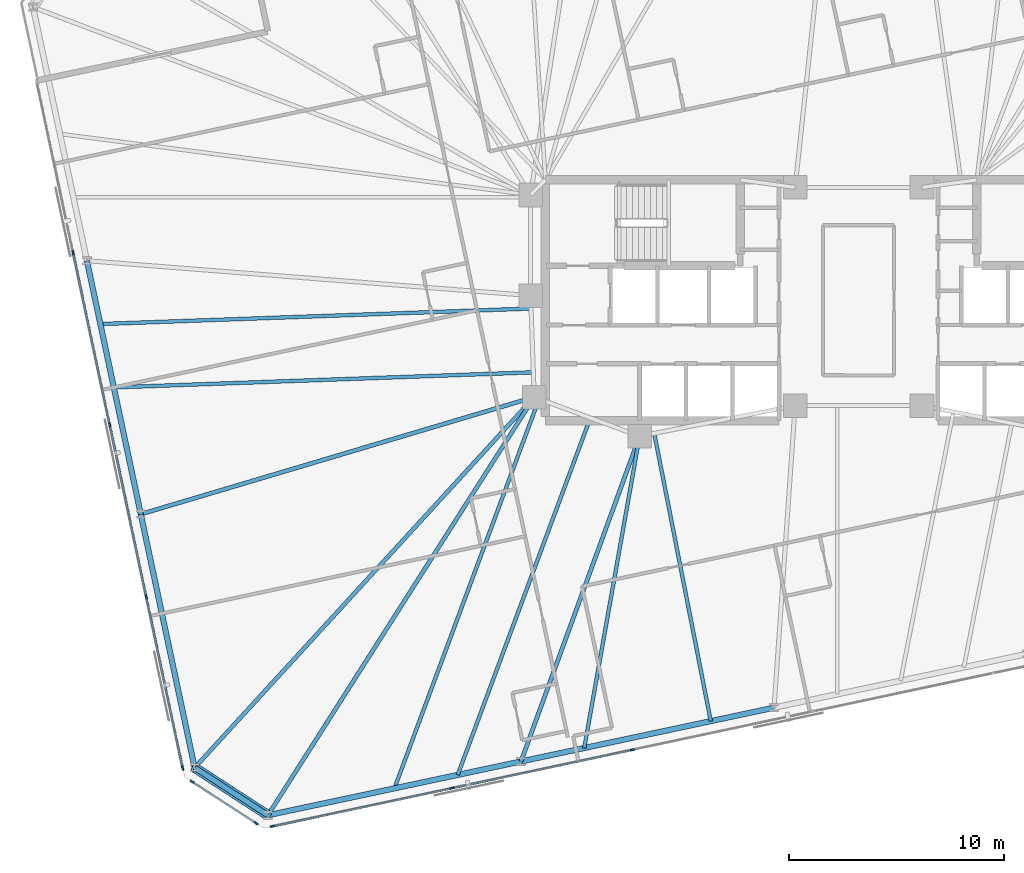
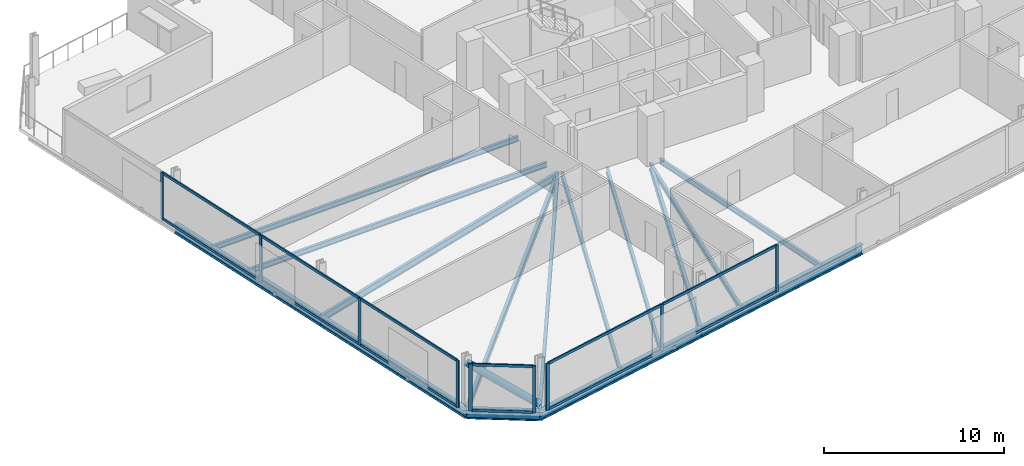
# One storey, part 6 of 20: 22 members, 15 beams, 3 elements without a shape of their own.
"""IFC4 building model written with IfcOpenShell, lengths in metres."""

from ifc_helpers import new_model, si_unit, direction, frame, origin, origin_2d, place, context, subcontext, project, spatial, rectangle, hollow_circle, i_section, extrude, material, material_profile, profile_set, type_object, element, aggregate, save


model = new_model("IFC4")

# Units and contexts
model_context = context("Model", 3, precision=1e-05, world=origin(), true_north=direction((0.0, 1.0)))
body_context = subcontext(model_context, "Body", "Model", "MODEL_VIEW")
ifc_project = project(units=[si_unit("LENGTHUNIT", "METRE"), si_unit("AREAUNIT", "SQUARE_METRE"), si_unit("VOLUMEUNIT", "CUBIC_METRE"), si_unit("PLANEANGLEUNIT", "RADIAN"), si_unit("MASSUNIT", "GRAM", prefix="KILO")], contexts=[model_context])

# Site, building, storey
site_placement = place(None, origin())
site = spatial("IfcSite", under=ifc_project, at=site_placement, CompositionType="ELEMENT")
building_placement = place(site_placement, origin())
building = spatial("IfcBuilding", under=site, at=building_placement, Name="Menara Jurai Vektor", CompositionType="ELEMENT")
storey_placement = place(building_placement, frame((0.0, 0.0, 175.199951171875)))
storey = spatial("IfcBuildingStorey", under=building, at=storey_placement, Name="L45", CompositionType="ELEMENT", Elevation=175.199951171875)

# Curtain wall, members
ifc_material_1 = material(Name="Anodised Pale Aluminium & Low-E Double Glazing", Category="aluminium")
curtain_wall_type = type_object("IfcCurtainWallType", Name="CW-BLK3", PredefinedType="NOTDEFINED", material=ifc_material_1)
curtain_wall_1_placement = place(storey_placement, origin())
curtain_wall_1 = element("IfcCurtainWall", 1, at=curtain_wall_1_placement, inside=storey, type_object=curtain_wall_type, Name="Unitised Curtain Wall L45 F03", PredefinedType="NOTDEFINED")
ifc_material_2 = material(Name="Anodised Pale Aluminium Mullion", Category="aluminium")
ifc_material_profile_1 = material_profile(ifc_material_2, rectangle(XDim=0.0849609375, YDim=0.205078125, at=origin_2d()), Name="ALU MUL 85x205")
ifc_profile_set_1 = profile_set([ifc_material_profile_1], Name="Anodised Pale Aluminium Mullion")
member_type_1 = type_object("IfcMemberType", Name="CW-BLK3-MUL", PredefinedType="MULLION", material=ifc_profile_set_1)
member_1_placement = place(storey_placement, frame((-36.5234375, 2.21240234375, 0.0), z_axis=(0.0, 0.0, 1.0), x_axis=(0.978148052942, 0.207909563335, 0.0)))
member_1 = element("IfcMember", 2, at=member_1_placement, type_object=member_type_1, Name="CW-03 mullion 2", PredefinedType="MULLION", context=body_context, shape_type="SweptSolid", body=[
    extrude(rectangle(XDim=0.0849609375, YDim=0.205078125, at=origin_2d()), origin(), (0.0, 0.0, 1.0), 3.175048828125),
])
member_2_placement = place(storey_placement, frame((-34.82275390625, -5.788818359375, 0.0), z_axis=(0.0, 0.0, 1.0), x_axis=(0.978148052942, 0.207909563335, 0.0)))
member_2 = element("IfcMember", 3, at=member_2_placement, type_object=member_type_1, Name="CW-03 mullion 3", PredefinedType="MULLION", context=body_context, shape_type="SweptSolid", body=[
    extrude(rectangle(XDim=0.0849609375, YDim=0.205078125, at=origin_2d()), origin(), (0.0, 0.0, 1.0), 3.175048828125),
])
member_3_placement = place(storey_placement, frame((-33.1220703125, -13.7900390625, 0.0), z_axis=(0.0, 0.0, 1.0), x_axis=(0.978148052942, 0.207909563335, 0.0)))
member_3 = element("IfcMember", 4, at=member_3_placement, type_object=member_type_1, Name="CW-03 mullion 4", PredefinedType="MULLION", context=body_context, shape_type="SweptSolid", body=[
    extrude(rectangle(XDim=0.0849609375, YDim=0.205078125, at=origin_2d()), origin(), (0.0, 0.0, 1.0), 3.175048828125),
])
member_4_placement = place(storey_placement, frame((-31.43017578125, -21.749755859375, 0.0), z_axis=(0.0, 0.0, 1.0), x_axis=(0.978148052942, 0.207909563335, 0.0)))
member_4 = element("IfcMember", 5, at=member_4_placement, type_object=member_type_1, Name="CW-03 mullion 5", PredefinedType="MULLION", context=body_context, shape_type="SweptSolid", body=[
    extrude(rectangle(XDim=0.0849609375, YDim=0.205078125, at=origin_2d()), origin(), (0.0, 0.0, 1.0), 3.175048828125),
])

curtain_wall_2_placement = place(storey_placement, origin())
curtain_wall_2 = element("IfcCurtainWall", 6, at=curtain_wall_2_placement, inside=storey, type_object=curtain_wall_type, Name="Unitised Curtain Wall L45 F04", PredefinedType="NOTDEFINED")
member_5_placement = place(storey_placement, frame((-30.988037109375, -22.39306640625, 0.0), z_axis=(0.0, 0.0, 1.0), x_axis=(0.544617794346, 0.838684361415, 0.0)))
member_5 = element("IfcMember", 7, at=member_5_placement, type_object=member_type_1, Name="CW-03 mullion 1", PredefinedType="MULLION", context=body_context, shape_type="SweptSolid", body=[
    extrude(rectangle(XDim=0.0849609375, YDim=0.205078125, at=origin_2d()), origin(), (0.0, 0.0, 1.0), 3.175048828125),
])
member_6_placement = place(storey_placement, frame((-28.02001953125, -24.320556640625, 0.0), z_axis=(0.0, 0.0, 1.0), x_axis=(0.544617794346, 0.838684361415, 0.0)))
member_6 = element("IfcMember", 8, at=member_6_placement, type_object=member_type_1, Name="CW-03 mullion 2", PredefinedType="MULLION", context=body_context, shape_type="SweptSolid", body=[
    extrude(rectangle(XDim=0.0849609375, YDim=0.205078125, at=origin_2d()), origin(), (0.0, 0.0, 1.0), 3.175048828125),
])

curtain_wall_3_placement = place(storey_placement, origin())
curtain_wall_3 = element("IfcCurtainWall", 9, at=curtain_wall_3_placement, inside=storey, type_object=curtain_wall_type, Name="Unitised Curtain Wall L45 F05", PredefinedType="NOTDEFINED")
member_7_placement = place(storey_placement, frame((-27.25244140625, -24.462890625, 0.0), z_axis=(0.0, 0.0, 1.0), x_axis=(-0.207911344156, 0.978147674419, 0.0)))
member_7 = element("IfcMember", 10, at=member_7_placement, type_object=member_type_1, Name="CW-03 mullion 1", PredefinedType="MULLION", context=body_context, shape_type="SweptSolid", body=[
    extrude(rectangle(XDim=0.0849609375, YDim=0.205078125, at=origin_2d()), origin(), (0.0, 0.0, 1.0), 3.175048828125),
])
member_8_placement = place(storey_placement, frame((-18.904296875, -22.6884765625, 0.0), z_axis=(0.0, 0.0, 1.0), x_axis=(-0.207911344156, 0.978147674419, 0.0)))
member_8 = element("IfcMember", 11, at=member_8_placement, type_object=member_type_1, Name="CW-03 mullion 2", PredefinedType="MULLION", context=body_context, shape_type="SweptSolid", body=[
    extrude(rectangle(XDim=0.0849609375, YDim=0.205078125, at=origin_2d()), origin(), (0.0, 0.0, 1.0), 3.175048828125),
])
member_9_placement = place(storey_placement, frame((-10.514404296875, -20.905029296875, 0.0), z_axis=(0.0, 0.0, 1.0), x_axis=(-0.207911344156, 0.978147674419, 0.0)))
member_9 = element("IfcMember", 12, at=member_9_placement, type_object=member_type_1, Name="CW-03 mullion 3", PredefinedType="MULLION", context=body_context, shape_type="SweptSolid", body=[
    extrude(rectangle(XDim=0.0849609375, YDim=0.205078125, at=origin_2d()), origin(), (0.0, 0.0, 1.0), 3.175048828125),
])

# Member
ifc_material_3 = material(Name="Anodised Pale Aluminium Transom", Category="aluminium")
ifc_material_profile_2 = material_profile(ifc_material_3, rectangle(XDim=0.0849609375, YDim=0.175048828125, at=origin_2d()), Name="ALU TRN 85x175")
ifc_profile_set_2 = profile_set([ifc_material_profile_2], Name="Anodised Pale Aluminium Transom")
member_type_2 = type_object("IfcMemberType", Name="CW-BLK3-TRN", PredefinedType="USERDEFINED", material=ifc_profile_set_2)
member_10_placement = place(storey_placement, frame((-36.5146484375, 2.1708984375, 0.04248046875), z_axis=(0.207916106697, -0.978146662099, 0.0), x_axis=(0.978146662099, 0.207916106697, 0.0)))
member_10 = element("IfcMember", 13, at=member_10_placement, type_object=member_type_2, Name="CW-03 transom 2.1", ObjectType="TRANSOM", PredefinedType="USERDEFINED", context=body_context, shape_type="SweptSolid", body=[
    extrude(rectangle(XDim=0.0849609375, YDim=0.175048828125, at=origin_2d()), origin(), (0.0, 0.0, 1.0), 8.09521484375),
])

member_11_placement = place(storey_placement, frame((-36.5146484375, 2.1708984375, 3.132568359375), z_axis=(0.207916106697, -0.978146662099, 0.0), x_axis=(0.978146662099, 0.207916106697, 0.0)))
member_11 = element("IfcMember", 14, at=member_11_placement, type_object=member_type_2, Name="CW-03 transom 2.2", ObjectType="TRANSOM", PredefinedType="USERDEFINED", context=body_context, shape_type="SweptSolid", body=[
    extrude(rectangle(XDim=0.0849609375, YDim=0.175048828125, at=origin_2d()), origin(), (0.0, 0.0, 1.0), 8.09521484375),
])

member_12_placement = place(storey_placement, frame((-34.81396484375, -5.830322265625, 0.04248046875), z_axis=(0.207916106697, -0.978146662099, 0.0), x_axis=(0.978146662099, 0.207916106697, 0.0)))
member_12 = element("IfcMember", 15, at=member_12_placement, type_object=member_type_2, Name="CW-03 transom 3.1", ObjectType="TRANSOM", PredefinedType="USERDEFINED", context=body_context, shape_type="SweptSolid", body=[
    extrude(rectangle(XDim=0.0849609375, YDim=0.175048828125, at=origin_2d()), origin(), (0.0, 0.0, 1.0), 8.09521484375),
])

member_13_placement = place(storey_placement, frame((-34.81396484375, -5.830322265625, 3.132568359375), z_axis=(0.207916106697, -0.978146662099, 0.0), x_axis=(0.978146662099, 0.207916106697, 0.0)))
member_13 = element("IfcMember", 16, at=member_13_placement, type_object=member_type_2, Name="CW-03 transom 3.2", ObjectType="TRANSOM", PredefinedType="USERDEFINED", context=body_context, shape_type="SweptSolid", body=[
    extrude(rectangle(XDim=0.0849609375, YDim=0.175048828125, at=origin_2d()), origin(), (0.0, 0.0, 1.0), 8.09521484375),
])

member_14_placement = place(storey_placement, frame((-33.11328125, -13.83154296875, 0.04248046875), z_axis=(0.207920034791, -0.97814582713, 0.0), x_axis=(0.97814582713, 0.207920034791, 0.0)))
member_14 = element("IfcMember", 17, at=member_14_placement, type_object=member_type_2, Name="CW-03 transom 4.1", ObjectType="TRANSOM", PredefinedType="USERDEFINED", context=body_context, shape_type="SweptSolid", body=[
    extrude(rectangle(XDim=0.0849609375, YDim=0.175048828125, at=origin_2d()), origin(), (0.0, 0.0, 1.0), 8.052734375),
])

member_15_placement = place(storey_placement, frame((-33.11328125, -13.83154296875, 3.132568359375), z_axis=(0.207920034791, -0.97814582713, 0.0), x_axis=(0.97814582713, 0.207920034791, 0.0)))
member_15 = element("IfcMember", 18, at=member_15_placement, type_object=member_type_2, Name="CW-03 transom 4.2", ObjectType="TRANSOM", PredefinedType="USERDEFINED", context=body_context, shape_type="SweptSolid", body=[
    extrude(rectangle(XDim=0.0849609375, YDim=0.175048828125, at=origin_2d()), origin(), (0.0, 0.0, 1.0), 8.052734375),
])

aggregate(curtain_wall_1, [member_1, member_2, member_3, member_4, member_10, member_11, member_12, member_13, member_14, member_15])

member_16_placement = place(storey_placement, frame((-30.952392578125, -22.416259765625, 0.04248046875), z_axis=(0.83867770631, -0.54462804274, 0.0), x_axis=(0.54462804274, 0.83867770631, 0.0)))
member_16 = element("IfcMember", 19, at=member_16_placement, type_object=member_type_2, Name="CW-03 transom 1.1", ObjectType="TRANSOM", PredefinedType="USERDEFINED", context=body_context, shape_type="SweptSolid", body=[
    extrude(rectangle(XDim=0.0849609375, YDim=0.175048828125, at=origin_2d()), origin(), (0.0, 0.0, 1.0), 3.453857421875),
])

member_17_placement = place(storey_placement, frame((-30.952392578125, -22.416259765625, 3.132568359375), z_axis=(0.83867770631, -0.54462804274, 0.0), x_axis=(0.54462804274, 0.83867770631, 0.0)))
member_17 = element("IfcMember", 20, at=member_17_placement, type_object=member_type_2, Name="CW-03 transom 1.2", ObjectType="TRANSOM", PredefinedType="USERDEFINED", context=body_context, shape_type="SweptSolid", body=[
    extrude(rectangle(XDim=0.0849609375, YDim=0.175048828125, at=origin_2d()), origin(), (0.0, 0.0, 1.0), 3.453857421875),
])

aggregate(curtain_wall_2, [member_5, member_6, member_16, member_17])

member_18_placement = place(storey_placement, frame((-27.210693359375, -24.4541015625, 0.04248046875), z_axis=(0.978145704369, 0.207920612313, 0.0), x_axis=(-0.207920612313, 0.978145704369, 0.0)))
member_18 = element("IfcMember", 21, at=member_18_placement, type_object=member_type_2, Name="CW-03 transom 1.1", ObjectType="TRANSOM", PredefinedType="USERDEFINED", context=body_context, shape_type="SweptSolid", body=[
    extrude(rectangle(XDim=0.0849609375, YDim=0.175048828125, at=origin_2d()), origin(), (0.0, 0.0, 1.0), 8.449462890625),
])

member_19_placement = place(storey_placement, frame((-27.210693359375, -24.4541015625, 3.132568359375), z_axis=(0.978145704369, 0.207920612313, 0.0), x_axis=(-0.207920612313, 0.978145704369, 0.0)))
member_19 = element("IfcMember", 22, at=member_19_placement, type_object=member_type_2, Name="CW-03 transom 1.2", ObjectType="TRANSOM", PredefinedType="USERDEFINED", context=body_context, shape_type="SweptSolid", body=[
    extrude(rectangle(XDim=0.0849609375, YDim=0.175048828125, at=origin_2d()), origin(), (0.0, 0.0, 1.0), 8.449462890625),
])

member_20_placement = place(storey_placement, frame((-18.862548828125, -22.6796875, 0.04248046875), z_axis=(0.978146500933, 0.207916864907, 0.0), x_axis=(-0.207916864907, 0.978146500933, 0.0)))
member_20 = element("IfcMember", 23, at=member_20_placement, type_object=member_type_2, Name="CW-03 transom 2.1", ObjectType="TRANSOM", PredefinedType="USERDEFINED", context=body_context, shape_type="SweptSolid", body=[
    extrude(rectangle(XDim=0.0849609375, YDim=0.175048828125, at=origin_2d()), origin(), (0.0, 0.0, 1.0), 8.491943359375),
])

member_21_placement = place(storey_placement, frame((-18.862548828125, -22.6796875, 3.132568359375), z_axis=(0.978146500933, 0.207916864907, 0.0), x_axis=(-0.207916864907, 0.978146500933, 0.0)))
member_21 = element("IfcMember", 24, at=member_21_placement, type_object=member_type_2, Name="CW-03 transom 2.2", ObjectType="TRANSOM", PredefinedType="USERDEFINED", context=body_context, shape_type="SweptSolid", body=[
    extrude(rectangle(XDim=0.0849609375, YDim=0.175048828125, at=origin_2d()), origin(), (0.0, 0.0, 1.0), 8.491943359375),
])

aggregate(curtain_wall_3, [member_7, member_8, member_9, member_18, member_19, member_20, member_21])

# Beams
ifc_material_4 = material(Name="Steel S355", Category="steel")
ifc_material_profile_3 = material_profile(ifc_material_4, i_section(OverallWidth=0.19091796875, OverallDepth=0.4599609375, WebThickness=0.010009765625, FlangeThickness=0.01611328125, FilletRadius=0.010009765625, at=origin_2d()), Name="UKB 457x191x82")
ifc_profile_set_3 = profile_set([ifc_material_profile_3], Name="Steel S355")
beam_type_1 = type_object("IfcBeamType", Name="STR-BM-457", PredefinedType="BEAM", material=ifc_profile_set_3)
beam_1_placement = place(storey_placement, frame((-27.46484375, -23.94580078125, -0.454833984375), z_axis=(0.537189280991, 0.843461721946, 0.0), x_axis=(-0.843461721946, 0.537189280991, 0.0)))
element("IfcBeam", 25, at=beam_1_placement, inside=storey, type_object=beam_type_1, Name="Radial Floor Girder L45-S1", PredefinedType="BEAM", context=body_context, shape_type="SweptSolid", body=[
    extrude(i_section(OverallWidth=0.19091796875, OverallDepth=0.4599609375, WebThickness=0.010009765625, FlangeThickness=0.01611328125, FilletRadius=0.010009765625, at=origin_2d()), origin(), (0.0, 0.0, 1.0), 23.0546875),
])
beam_2_placement = place(storey_placement, frame((-15.696533203125, -21.4443359375, -0.454833984375), z_axis=(0.342668294367, 0.939456459893, 0.0), x_axis=(-0.939456459893, 0.342668294367, 0.0)))
element("IfcBeam", 26, at=beam_2_placement, inside=storey, type_object=beam_type_1, Name="Radial Floor Girder L45-S2", PredefinedType="BEAM", context=body_context, shape_type="SweptSolid", body=[
    extrude(i_section(OverallWidth=0.19091796875, OverallDepth=0.4599609375, WebThickness=0.010009765625, FlangeThickness=0.01611328125, FilletRadius=0.010009765625, at=origin_2d()), origin(), (0.0, 0.0, 1.0), 16.098876953125),
])
beam_3_placement = place(storey_placement, frame((-33.377197265625, -9.94482421875, -0.454833984375), z_axis=(0.958462775407, 0.285217650505, 0.0), x_axis=(-0.285217650505, 0.958462775407, 0.0)))
element("IfcBeam", 27, at=beam_3_placement, inside=storey, type_object=beam_type_1, Name="Radial Floor Girder L45-W3", PredefinedType="BEAM", context=body_context, shape_type="SweptSolid", body=[
    extrude(i_section(OverallWidth=0.19091796875, OverallDepth=0.4599609375, WebThickness=0.010009765625, FlangeThickness=0.01611328125, FilletRadius=0.010009765625, at=origin_2d()), origin(), (0.0, 0.0, 1.0), 19.090087890625),
])
beam_4_placement = place(storey_placement, frame((-30.871337890625, -21.7333984375, -0.454833984375), z_axis=(0.675584615662, 0.737282460852, 0.0), x_axis=(-0.737282460852, 0.675584615662, 0.0)))
element("IfcBeam", 28, at=beam_4_placement, inside=storey, type_object=beam_type_1, Name="Radial Floor Girder L45-W4", PredefinedType="BEAM", context=body_context, shape_type="SweptSolid", body=[
    extrude(i_section(OverallWidth=0.19091796875, OverallDepth=0.4599609375, WebThickness=0.010009765625, FlangeThickness=0.01611328125, FilletRadius=0.010009765625, at=origin_2d()), origin(), (0.0, 0.0, 1.0), 23.374267578125),
])

# Member
ifc_material_5 = material(Name="Steel S460", Category="steel")
ifc_material_profile_4 = material_profile(ifc_material_5, hollow_circle(Radius=0.228515625, WallThickness=0.01611328125, at=origin_2d()), Name="CHS 457x16")
ifc_profile_set_4 = profile_set([ifc_material_profile_4], Name="Steel S460")
member_type_3 = type_object("IfcMemberType", Name="STR-BR-457", PredefinedType="BRACE", material=ifc_profile_set_4)
member_22_placement = place(storey_placement, frame((-27.46484375, -23.94580078125, 0.150146484375), z_axis=(-0.700422163072, 0.454900425841, 0.549976723186), x_axis=(-0.544673525608, -0.838648168484, 0.0)))
element("IfcMember", 29, at=member_22_placement, inside=storey, type_object=member_type_3, Name="Exoskeleton Corner Brace L45-4", PredefinedType="BRACE", context=body_context, shape_type="SweptSolid", body=[
    extrude(hollow_circle(Radius=0.228515625, WallThickness=0.01611328125, at=origin_2d()), origin(), (0.0, 0.0, 1.0), 4.863525390625),
])

# Beams
ifc_material_profile_5 = material_profile(ifc_material_4, i_section(OverallWidth=0.172119140625, OverallDepth=0.35498046875, WebThickness=0.007080078125, FlangeThickness=0.011962890625, FilletRadius=0.010009765625, at=origin_2d()), Name="UKB 356x171x51")
ifc_profile_set_5 = profile_set([ifc_material_profile_5], Name="Steel S355")
beam_type_2 = type_object("IfcBeamType", Name="STR-JS-356", PredefinedType="JOIST", material=ifc_profile_set_5)
beam_5_placement = place(storey_placement, frame((-21.580810546875, -22.695068359375, -0.40234375), z_axis=(0.348190019635, 0.937423975705, 0.0), x_axis=(-0.937423975705, 0.348190019635, 0.0)))
element("IfcBeam", 30, at=beam_5_placement, inside=storey, type_object=beam_type_2, Name="Radial Secondary Floor Joist L45-JS01", PredefinedType="JOIST", context=body_context, shape_type="SweptSolid", body=[
    extrude(i_section(OverallWidth=0.172119140625, OverallDepth=0.35498046875, WebThickness=0.007080078125, FlangeThickness=0.011962890625, FilletRadius=0.010009765625, at=origin_2d()), origin(), (0.0, 0.0, 1.0), 19.320068359375),
])
beam_6_placement = place(storey_placement, frame((-18.638671875, -22.069580078125, -0.40234375), z_axis=(0.348193798412, 0.937422572135, 0.0), x_axis=(-0.937422572135, 0.348193798412, 0.0)))
element("IfcBeam", 31, at=beam_6_placement, inside=storey, type_object=beam_type_2, Name="Radial Secondary Floor Joist L45-JS02", PredefinedType="JOIST", context=body_context, shape_type="SweptSolid", body=[
    extrude(i_section(OverallWidth=0.172119140625, OverallDepth=0.35498046875, WebThickness=0.007080078125, FlangeThickness=0.011962890625, FilletRadius=0.010009765625, at=origin_2d()), origin(), (0.0, 0.0, 1.0), 17.709228515625),
])
beam_7_placement = place(storey_placement, frame((-12.75439453125, -20.819091796875, -0.40234375), z_axis=(0.174826548521, 0.984599247375, 0.0), x_axis=(-0.984599247375, 0.174826548521, 0.0)))
element("IfcBeam", 32, at=beam_7_placement, inside=storey, type_object=beam_type_2, Name="Radial Secondary Floor Joist L45-JS03", PredefinedType="JOIST", context=body_context, shape_type="SweptSolid", body=[
    extrude(i_section(OverallWidth=0.172119140625, OverallDepth=0.35498046875, WebThickness=0.007080078125, FlangeThickness=0.011962890625, FilletRadius=0.010009765625, at=origin_2d()), origin(), (0.0, 0.0, 1.0), 14.725830078125),
])
beam_8_placement = place(storey_placement, frame((-6.870361328125, -19.568359375, -0.40234375), z_axis=(-0.19273083746, 0.981251662058, 0.0), x_axis=(-0.981251662058, -0.19273083746, 0.0)))
element("IfcBeam", 33, at=beam_8_placement, inside=storey, type_object=beam_type_2, Name="Radial Secondary Floor Joist L45-JS04", PredefinedType="JOIST", context=body_context, shape_type="SweptSolid", body=[
    extrude(i_section(OverallWidth=0.172119140625, OverallDepth=0.35498046875, WebThickness=0.007080078125, FlangeThickness=0.011962890625, FilletRadius=0.010009765625, at=origin_2d()), origin(), (0.0, 0.0, 1.0), 13.6376953125),
])
beam_9_placement = place(storey_placement, frame((-35.25634765625, -1.103515625, -0.40234375), z_axis=(0.999351866858, 0.035997863919, 0.0), x_axis=(-0.035997863919, 0.999351866858, 0.0)))
element("IfcBeam", 34, at=beam_9_placement, inside=storey, type_object=beam_type_2, Name="Radial Secondary Floor Joist L45-JS29", PredefinedType="JOIST", context=body_context, shape_type="SweptSolid", body=[
    extrude(i_section(OverallWidth=0.172119140625, OverallDepth=0.35498046875, WebThickness=0.007080078125, FlangeThickness=0.011962890625, FilletRadius=0.010009765625, at=origin_2d()), origin(), (0.0, 0.0, 1.0), 20.041015625),
])
beam_10_placement = place(storey_placement, frame((-34.6298828125, -4.05078125, -0.40234375), z_axis=(0.999352006705, 0.035993981369, 0.0), x_axis=(-0.035993981369, 0.999352006705, 0.0)))
element("IfcBeam", 35, at=beam_10_placement, inside=storey, type_object=beam_type_2, Name="Radial Secondary Floor Joist L45-JS30", PredefinedType="JOIST", context=body_context, shape_type="SweptSolid", body=[
    extrude(i_section(OverallWidth=0.172119140625, OverallDepth=0.35498046875, WebThickness=0.007080078125, FlangeThickness=0.011962890625, FilletRadius=0.010009765625, at=origin_2d()), origin(), (0.0, 0.0, 1.0), 19.52099609375),
])
ifc_material_profile_6 = material_profile(ifc_material_5, i_section(OverallWidth=0.256103515625, OverallDepth=0.693115234375, WebThickness=0.013916015625, FlangeThickness=0.02392578125, FilletRadius=0.014892578125, at=origin_2d()), Name="UKB 686x254x170")
ifc_profile_set_6 = profile_set([ifc_material_profile_6], Name="Steel S460")
beam_type_3 = type_object("IfcBeamType", Name="STR-SP-686", PredefinedType="SPANDREL", material=ifc_profile_set_6)
beam_11_placement = place(storey_placement, frame((-27.46484375, -23.94580078125, -0.571533203125), z_axis=(0.978147039247, 0.207914332389, 0.0), x_axis=(-0.207914332389, 0.978147039247, 0.0)))
element("IfcBeam", 36, at=beam_11_placement, inside=storey, type_object=beam_type_3, Name="Exoskeleton Spandrel Beam L45-01", PredefinedType="SPANDREL", context=body_context, shape_type="SweptSolid", body=[
    extrude(i_section(OverallWidth=0.256103515625, OverallDepth=0.693115234375, WebThickness=0.013916015625, FlangeThickness=0.02392578125, FilletRadius=0.014892578125, at=origin_2d()), origin(), (0.0, 0.0, 1.0), 12.03125),
])
beam_12_placement = place(storey_placement, frame((-15.696533203125, -21.4443359375, -0.571533203125), z_axis=(0.97814616202, 0.207918459318, 0.0), x_axis=(-0.207918459318, 0.97814616202, 0.0)))
element("IfcBeam", 37, at=beam_12_placement, inside=storey, type_object=beam_type_3, Name="Exoskeleton Spandrel Beam L45-02", PredefinedType="SPANDREL", context=body_context, shape_type="SweptSolid", body=[
    extrude(i_section(OverallWidth=0.256103515625, OverallDepth=0.693115234375, WebThickness=0.013916015625, FlangeThickness=0.02392578125, FilletRadius=0.014892578125, at=origin_2d()), origin(), (0.0, 0.0, 1.0), 12.031005859375),
])
beam_13_placement = place(storey_placement, frame((-35.8828125, 1.843505859375, -0.571533203125), z_axis=(0.207906000604, -0.978148810209, 0.0), x_axis=(0.978148810209, 0.207906000604, 0.0)))
element("IfcBeam", 38, at=beam_13_placement, inside=storey, type_object=beam_type_3, Name="Exoskeleton Spandrel Beam L45-18", PredefinedType="SPANDREL", context=body_context, shape_type="SweptSolid", body=[
    extrude(i_section(OverallWidth=0.256103515625, OverallDepth=0.693115234375, WebThickness=0.013916015625, FlangeThickness=0.02392578125, FilletRadius=0.014892578125, at=origin_2d()), origin(), (0.0, 0.0, 1.0), 12.0517578125),
])
beam_14_placement = place(storey_placement, frame((-33.377197265625, -9.94482421875, -0.571533203125), z_axis=(0.207921262698, -0.978145566119, 0.0), x_axis=(0.978145566119, 0.207921262698, 0.0)))
element("IfcBeam", 39, at=beam_14_placement, inside=storey, type_object=beam_type_3, Name="Exoskeleton Spandrel Beam L45-19", PredefinedType="SPANDREL", context=body_context, shape_type="SweptSolid", body=[
    extrude(i_section(OverallWidth=0.256103515625, OverallDepth=0.693115234375, WebThickness=0.013916015625, FlangeThickness=0.02392578125, FilletRadius=0.014892578125, at=origin_2d()), origin(), (0.0, 0.0, 1.0), 12.052001953125),
])
beam_15_placement = place(storey_placement, frame((-30.871337890625, -21.7333984375, -0.571533203125), z_axis=(0.838648168484, -0.544673525608, 0.0), x_axis=(0.544673525608, 0.838648168484, 0.0)))
element("IfcBeam", 40, at=beam_15_placement, inside=storey, type_object=beam_type_3, Name="Exoskeleton Spandrel Beam L45-20", PredefinedType="SPANDREL", context=body_context, shape_type="SweptSolid", body=[
    extrude(i_section(OverallWidth=0.256103515625, OverallDepth=0.693115234375, WebThickness=0.013916015625, FlangeThickness=0.02392578125, FilletRadius=0.014892578125, at=origin_2d()), origin(), (0.0, 0.0, 1.0), 4.061767578125),
])

save(model, "model.ifc")
